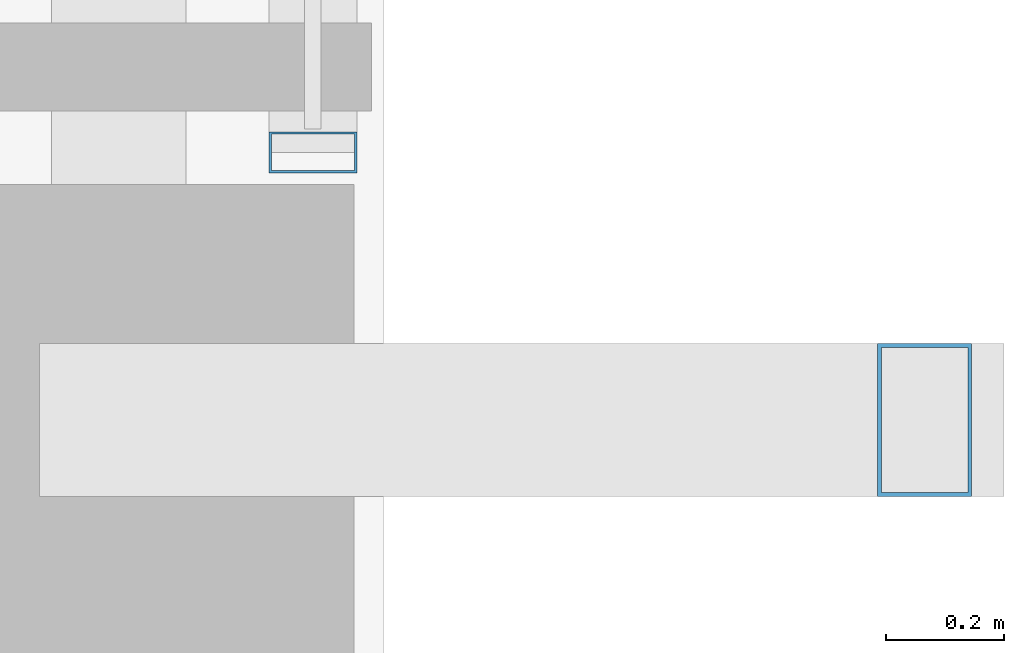
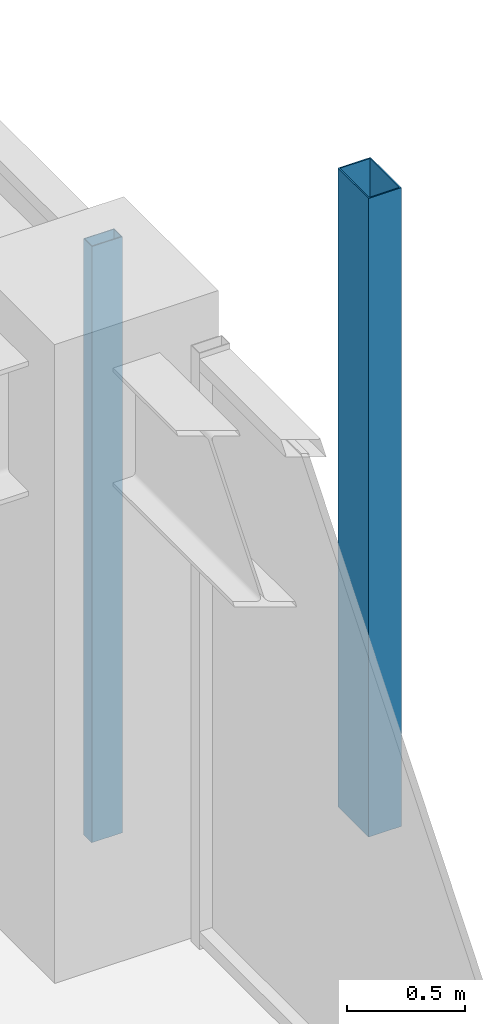
# One storey, part 15 of 38: 2 members, 1 element without a shape of its own.
"""IFC4 building model written with IfcOpenShell, lengths in metres."""

from ifc_helpers import new_model, si_unit, direction, frame, origin, origin_2d, place, context, subcontext, project, spatial, hollow_rectangle, extrude, material, material_profile, profile_set, type_object, element, aggregate, save


model = new_model("IFC4")

# Units and contexts
model_context = context("Model", 3, precision=1e-05, world=origin(), true_north=direction((0.0, 1.0)))
body_context = subcontext(model_context, "Body", "Model", "MODEL_VIEW")
ifc_project = project(units=[si_unit("LENGTHUNIT", "METRE"), si_unit("AREAUNIT", "SQUARE_METRE"), si_unit("VOLUMEUNIT", "CUBIC_METRE"), si_unit("PLANEANGLEUNIT", "RADIAN"), si_unit("MASSUNIT", "GRAM", prefix="KILO")], contexts=[model_context])

# Site, building, storey
site_placement = place(None, origin())
site = spatial("IfcSite", under=ifc_project, at=site_placement, CompositionType="ELEMENT")
building_placement = place(site_placement, origin())
building = spatial("IfcBuilding", under=site, at=building_placement, Name="Kolvaren Belvedere", CompositionType="ELEMENT")
storey_placement = place(building_placement, frame((0.0, 0.0, 213.0)))
storey = spatial("IfcBuildingStorey", under=building, at=storey_placement, Name="L62", CompositionType="ELEMENT", Elevation=213.0)

# Curtain wall, member
ifc_material_1 = material(Name="Anodised pale-metal aluminium AA 6063-T6", Category="aluminium")
curtain_wall_type = type_object("IfcCurtainWallType", Name="CW-Z5-HIGH", PredefinedType="NOTDEFINED", material=ifc_material_1)
curtain_wall_placement = place(storey_placement, origin())
curtain_wall = element("IfcCurtainWall", 1, at=curtain_wall_placement, inside=storey, type_object=curtain_wall_type, Name="L62 Unitised Curtain Wall FCW-L62-E-B1", PredefinedType="NOTDEFINED")
ifc_material_2 = material(Name="Anodised pale-metal aluminium AA 6063-T6", Category="aluminium")
ifc_material_profile_1 = material_profile(ifc_material_2, hollow_rectangle(XDim=0.070068359375, YDim=0.14990234375, WallThickness=0.004150390625, at=origin_2d()), Name="ALU-MUL-150X70")
ifc_profile_set_1 = profile_set([ifc_material_profile_1], Name="Anodised pale-metal aluminium AA 6063-T6")
member_type_1 = type_object("IfcMemberType", Name="CW-MUL-150", PredefinedType="MULLION", material=ifc_profile_set_1)
member_1_placement = place(storey_placement, frame((20.280029296875, 5.054931640625, 0.0), z_axis=(0.0, 0.0, 1.0), x_axis=(0.0, 1.0, 0.0)))
member_1 = element("IfcMember", 2, at=member_1_placement, type_object=member_type_1, Name="FCW-L62-E-B1 Unitised Mullion 3", PredefinedType="MULLION", context=body_context, shape_type="SweptSolid", body=[
    extrude(hollow_rectangle(XDim=0.070068359375, YDim=0.14990234375, WallThickness=0.004150390625, at=origin_2d()), origin(), (0.0, 0.0, 1.0), 3.080078125),
])
aggregate(curtain_wall, [member_1])

# Member
ifc_material_3 = material(Name="Anodised pale-metal aluminium AA 6063-T6", Category="aluminium")
ifc_material_profile_2 = material_profile(ifc_material_3, hollow_rectangle(XDim=0.159912109375, YDim=0.260009765625, WallThickness=0.006591796875, at=origin_2d()), Name="ALU-PF-260X160")
ifc_profile_set_2 = profile_set([ifc_material_profile_2], Name="Anodised pale-metal aluminium AA 6063-T6")
member_type_2 = type_object("IfcMemberType", Name="PF-FRAME-260", PredefinedType="USERDEFINED", material=ifc_profile_set_2)
member_2_placement = place(storey_placement, frame((21.320068359375, 4.60009765625, 0.0), z_axis=(0.0, 0.0, 1.0), x_axis=(1.0, 0.0, 0.0)))
element("IfcMember", 3, at=member_2_placement, inside=storey, type_object=member_type_2, Name="L62 Outboard Picture-Frame Vertical E1", ObjectType="PICTURE FRAME FIN", PredefinedType="USERDEFINED", context=body_context, shape_type="SweptSolid", body=[
    extrude(hollow_rectangle(XDim=0.159912109375, YDim=0.260009765625, WallThickness=0.006591796875, at=origin_2d()), origin(), (0.0, 0.0, 1.0), 3.300048828125),
])

save(model, "model.ifc")
